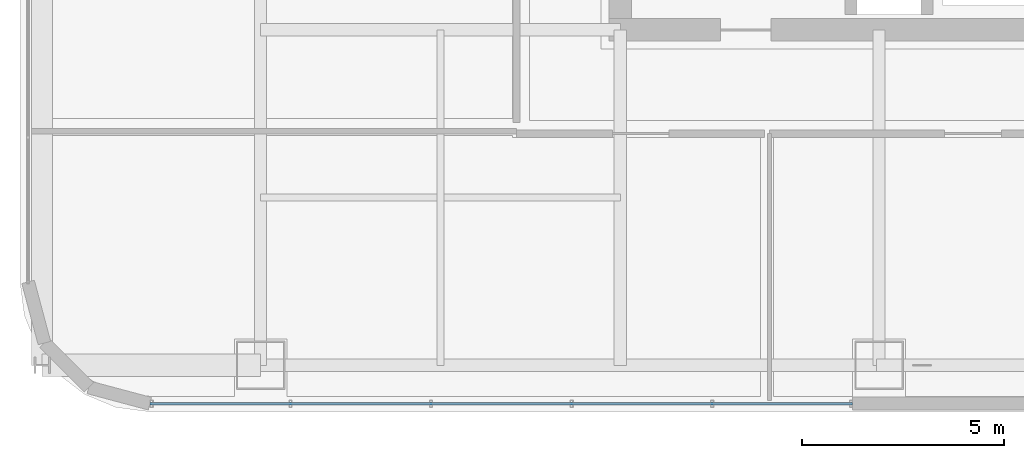
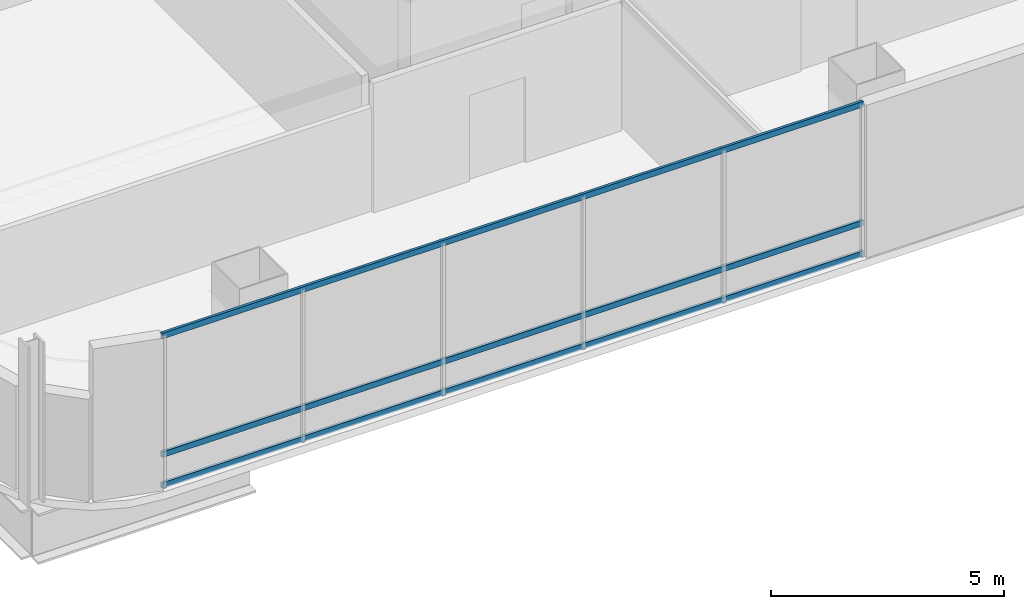
# One storey, part 3 of 43: 3 members, 1 element without a shape of its own.
"""IFC4 building model written with IfcOpenShell, lengths in metres."""

from ifc_helpers import new_model, si_unit, direction, frame, origin, origin_2d, place, context, subcontext, project, spatial, hollow_rectangle, extrude, material, material_profile, profile_set, type_object, element, aggregate, save


model = new_model("IFC4")

# Units and contexts
model_context = context("Model", 3, precision=1e-05, world=origin(), true_north=direction((0.0, 1.0)))
body_context = subcontext(model_context, "Body", "Model", "MODEL_VIEW")
ifc_project = project(units=[si_unit("LENGTHUNIT", "METRE"), si_unit("AREAUNIT", "SQUARE_METRE"), si_unit("VOLUMEUNIT", "CUBIC_METRE"), si_unit("PLANEANGLEUNIT", "RADIAN"), si_unit("MASSUNIT", "GRAM", prefix="KILO")], contexts=[model_context])

# Site, building, storey
site_placement = place(None, origin())
site = spatial("IfcSite", under=ifc_project, at=site_placement, CompositionType="ELEMENT")
building_placement = place(site_placement, origin())
building = spatial("IfcBuilding", under=site, at=building_placement, Name="Punatoya Terracotta Tower", CompositionType="ELEMENT")
storey_placement = place(building_placement, frame((0.0, 0.0, 300.60009765625)))
storey = spatial("IfcBuildingStorey", under=building, at=storey_placement, Name="L71", CompositionType="ELEMENT", Elevation=300.60009765625)

# Curtain wall, members
ifc_material_1 = material(Name="Aluminium 6063-T6 + Double Low-E Glass", Category="aluminium")
curtain_wall_type = type_object("IfcCurtainWallType", Name="CW-M3", PredefinedType="NOTDEFINED", material=ifc_material_1)
curtain_wall_placement = place(storey_placement, origin())
curtain_wall = element("IfcCurtainWall", 1, at=curtain_wall_placement, inside=storey, type_object=curtain_wall_type, Name="L71 Curtain Wall CW-L71-S01-1", PredefinedType="NOTDEFINED")
ifc_material_2 = material(Name="Aluminium 6063-T6", Category="aluminium")
ifc_material_profile = material_profile(ifc_material_2, hollow_rectangle(XDim=0.068115234375, YDim=0.14990234375, WallThickness=0.00390625, at=origin_2d()))
ifc_profile_set = profile_set([ifc_material_profile], Name="Aluminium 6063-T6")
member_type = type_object("IfcMemberType", Name="CW-TRN-TYP", PredefinedType="USERDEFINED", material=ifc_profile_set)
member_1_placement = place(storey_placement, frame((-21.8369140625, -18.449951171875, 0.039794921875), z_axis=(1.0, 0.0, 0.0), x_axis=(0.0, 1.0, 0.0)))
member_1 = element("IfcMember", 2, at=member_1_placement, type_object=member_type, Name="CW-L71-S01-1 Transom 1", ObjectType="TRANSOM", PredefinedType="USERDEFINED", context=body_context, shape_type="SweptSolid", body=[
    extrude(hollow_rectangle(XDim=0.068115234375, YDim=0.14990234375, WallThickness=0.00390625, at=origin_2d()), origin(), (0.0, 0.0, 1.0), 17.386962890625),
])
member_2_placement = place(storey_placement, frame((-21.8369140625, -18.449951171875, 0.849853515625), z_axis=(1.0, 0.0, 0.0), x_axis=(0.0, 1.0, 0.0)))
member_2 = element("IfcMember", 3, at=member_2_placement, type_object=member_type, Name="CW-L71-S01-1 Transom 2", ObjectType="TRANSOM", PredefinedType="USERDEFINED", context=body_context, shape_type="SweptSolid", body=[
    extrude(hollow_rectangle(XDim=0.068115234375, YDim=0.14990234375, WallThickness=0.00390625, at=origin_2d()), origin(), (0.0, 0.0, 1.0), 17.386962890625),
])
member_3_placement = place(storey_placement, frame((-21.8369140625, -18.449951171875, 3.9599609375), z_axis=(1.0, 0.0, 0.0), x_axis=(0.0, 1.0, 0.0)))
member_3 = element("IfcMember", 4, at=member_3_placement, type_object=member_type, Name="CW-L71-S01-1 Transom 3", ObjectType="TRANSOM", PredefinedType="USERDEFINED", context=body_context, shape_type="SweptSolid", body=[
    extrude(hollow_rectangle(XDim=0.068115234375, YDim=0.14990234375, WallThickness=0.00390625, at=origin_2d()), origin(), (0.0, 0.0, 1.0), 17.386962890625),
])
aggregate(curtain_wall, [member_1, member_2, member_3])

save(model, "model.ifc")
